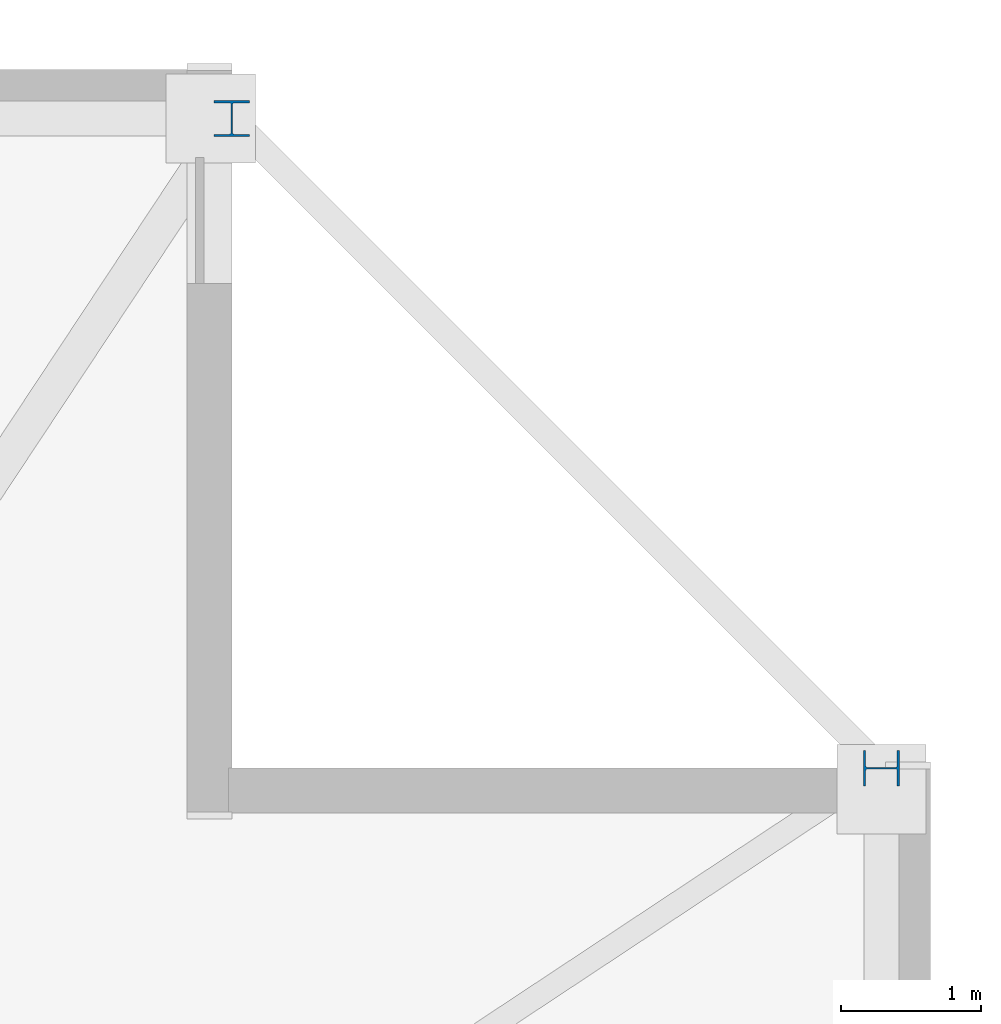
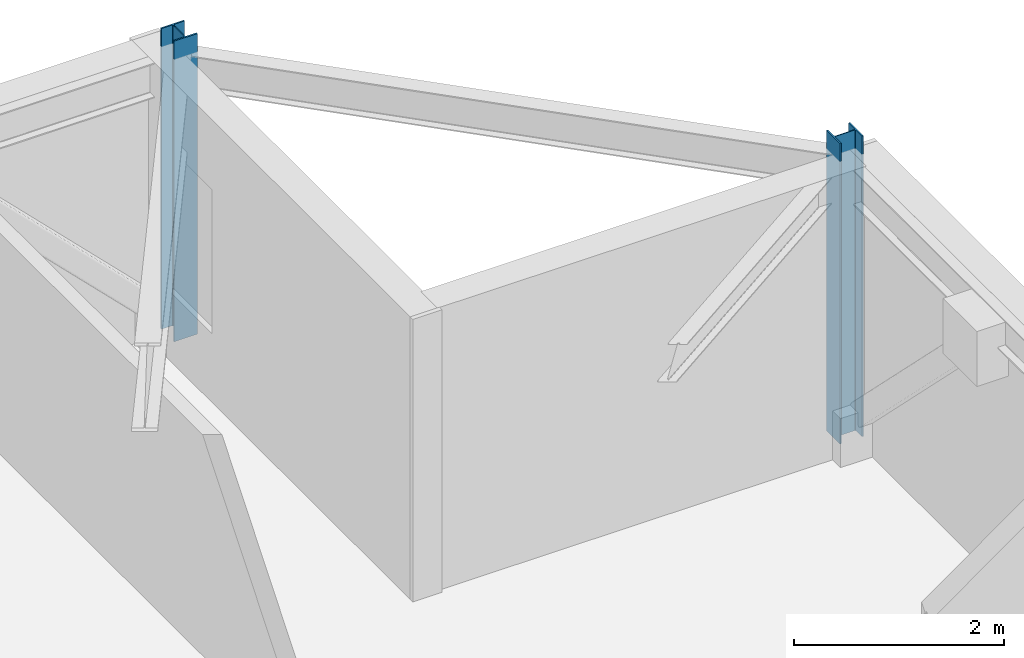
# One storey, part 5 of 17: 2 columns.
"""IFC4 building model written with IfcOpenShell, lengths in metres."""

from ifc_helpers import new_model, si_unit, direction, frame, origin, origin_2d, place, context, subcontext, project, spatial, i_section, extrude, material, material_profile, profile_set, type_object, element, save


model = new_model("IFC4")

# Units and contexts
model_context = context("Model", 3, precision=1e-05, world=origin(), true_north=direction((0.0, 1.0)))
body_context = subcontext(model_context, "Body", "Model", "MODEL_VIEW")
ifc_project = project(units=[si_unit("LENGTHUNIT", "METRE"), si_unit("AREAUNIT", "SQUARE_METRE"), si_unit("VOLUMEUNIT", "CUBIC_METRE"), si_unit("PLANEANGLEUNIT", "RADIAN"), si_unit("MASSUNIT", "GRAM", prefix="KILO")], contexts=[model_context])

# Site, building, storey
site_placement = place(None, origin())
site = spatial("IfcSite", under=ifc_project, at=site_placement, CompositionType="ELEMENT")
building_placement = place(site_placement, origin())
building = spatial("IfcBuilding", under=site, at=building_placement, Name="Cairnveth Concourse Tower", CompositionType="ELEMENT")
storey_placement = place(building_placement, frame((0.0, 0.0, 248.0)))
storey = spatial("IfcBuildingStorey", under=building, at=storey_placement, Name="L68", CompositionType="ELEMENT", Elevation=248.0)

# Columns
ifc_material = material(Name="Steel Grade 350", Category="steel")
ifc_material_profile = material_profile(ifc_material, i_section(OverallWidth=0.256103515625, OverallDepth=0.260009765625, WebThickness=0.010498046875, FlangeThickness=0.017333984375, FilletRadius=0.012939453125, at=origin_2d()), Name="250UC89.5")
ifc_profile_set = profile_set([ifc_material_profile], Name="Steel Grade 350")
column_type = type_object("IfcColumnType", Name="UNIVERSAL STEEL COLUMN 250UC89.5", PredefinedType="COLUMN", material=ifc_profile_set)
for number, where, z_axis, x_axis, name in (
    (1, (74.14990234375, 56.5, 0.0), (0.0, 0.0, 1.0), (0.0, 1.0, 0.0), "Column P-E4 L68"),
    (2, (69.5, 61.14990234375, 0.0), (0.0, 0.0, 1.0), (1.0, 0.0, 0.0), "Column P-N1 L68"),
):
    element("IfcColumn", number, at=place(storey_placement, frame(where, z_axis=z_axis, x_axis=x_axis)), inside=storey, type_object=column_type, Name=name, PredefinedType="COLUMN", context=body_context, shape_type="SweptSolid", body=[
        extrude(i_section(OverallWidth=0.256103515625, OverallDepth=0.260009765625, WebThickness=0.010498046875, FlangeThickness=0.017333984375, FilletRadius=0.012939453125, at=origin_2d()), origin(), (0.0, 0.0, 1.0), 3.5),
    ])

save(model, "model.ifc")
